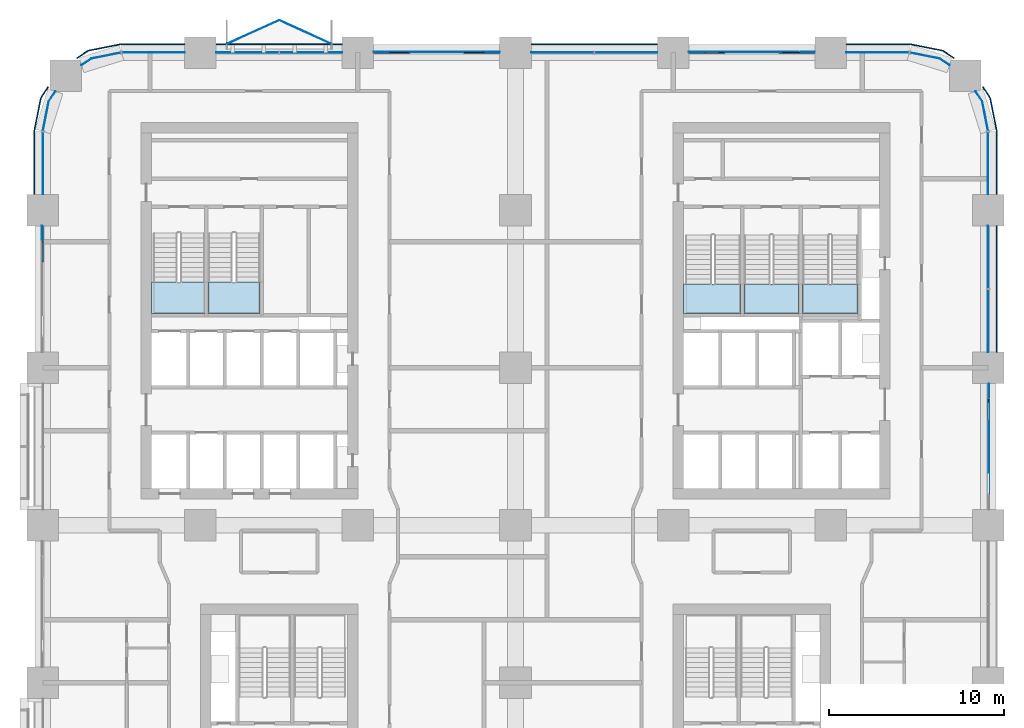
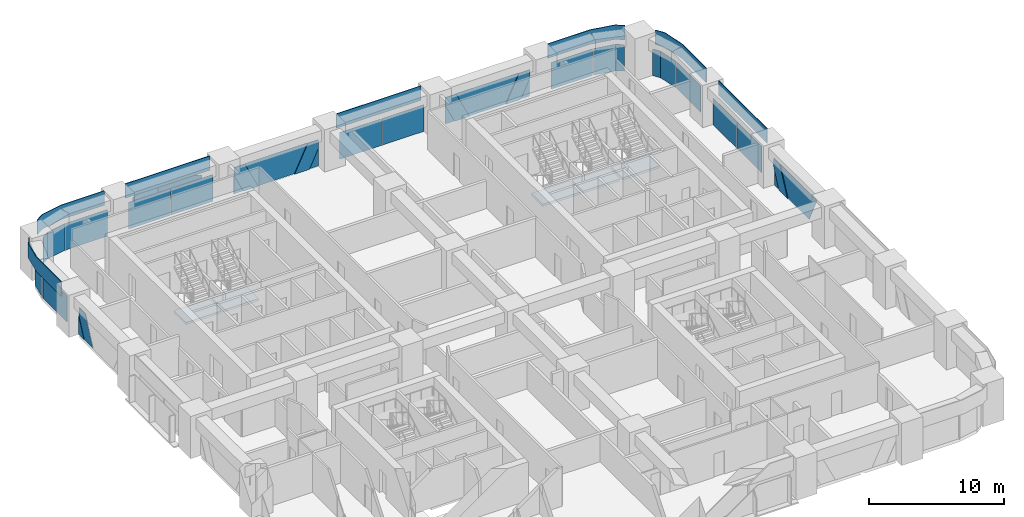
# One storey, part 13 of 23: 38 plates, 5 slabs, 16 elements without a shape of their own.
"""IFC4 building model written with IfcOpenShell, lengths in metres."""

from ifc_helpers import new_model, si_unit, direction, frame, origin, origin_2d, place, context, subcontext, project, spatial, polyline, rectangle, outline, extrude, material, layer, layer_set, type_object, element, aggregate, save


model = new_model("IFC4")

# Units and contexts
model_context = context("Model", 3, precision=1e-05, world=origin(), true_north=direction((0.0, 1.0)))
body_context = subcontext(model_context, "Body", "Model", "MODEL_VIEW")
ifc_project = project(units=[si_unit("LENGTHUNIT", "METRE"), si_unit("AREAUNIT", "SQUARE_METRE"), si_unit("VOLUMEUNIT", "CUBIC_METRE"), si_unit("PLANEANGLEUNIT", "RADIAN"), si_unit("MASSUNIT", "GRAM", prefix="KILO")], contexts=[model_context])

# Site, building, storey
site_placement = place(None, origin())
site = spatial("IfcSite", under=ifc_project, at=site_placement, CompositionType="ELEMENT")
building_placement = place(site_placement, origin())
building = spatial("IfcBuilding", under=site, at=building_placement, Name="Tessera Arch", CompositionType="ELEMENT")
storey_placement = place(building_placement, frame((0.0, 0.0, 57.60009765625)))
storey = spatial("IfcBuildingStorey", under=building, at=storey_placement, Name="L12", CompositionType="ELEMENT", Elevation=57.60009765625)

# Curtain wall, plates
ifc_material_1 = material(Name="CW1 curtain wall")
curtain_wall_type_1 = type_object("IfcCurtainWallType", Name="CW1 curtain wall", PredefinedType="NOTDEFINED", material=ifc_material_1)
curtain_wall_1_placement = place(storey_placement, origin())
curtain_wall_1 = element("IfcCurtainWall", 1, at=curtain_wall_1_placement, inside=storey, type_object=curtain_wall_type_1, Name="CW1 curtain wall E54.0/4 L12", PredefinedType="NOTDEFINED")
ifc_material_2 = material(Name="Clear low-e glass", Category="glass")
ifc_material_3 = material(Name="Clear low-e glass", Category="glass")
ifc_layer_1 = layer(ifc_material_3, 0.028076171875)
ifc_layer_set_1 = layer_set([ifc_layer_1], Name="CW1 glass panel")
plate_type_1 = type_object("IfcPlateType", Name="CW1 glass panel", PredefinedType="CURTAIN_PANEL", material=ifc_layer_set_1)
plate_1_placement = place(storey_placement, frame((54.0, 38.68505859375, 0.0), z_axis=(0.0, 0.0, 1.0), x_axis=(0.0, 1.0, 0.0)))
plate_1 = element("IfcPlate", 2, at=plate_1_placement, type_object=plate_type_1, material=ifc_material_2, Name="CW1 glass panel E54.0/4 1.1.1", PredefinedType="CURTAIN_PANEL", context=body_context, shape_type="SweptSolid", body=[
    extrude(rectangle(XDim=3.570068359375, YDim=0.028076171875, at=origin_2d()), origin(), (0.0, 0.0, 1.0), 2.39990234375),
])
plate_2_placement = place(storey_placement, frame((54.0, 42.31494140625, 0.0), z_axis=(0.0, 0.0, 1.0), x_axis=(0.0, 1.0, 0.0)))
plate_2 = element("IfcPlate", 3, at=plate_2_placement, type_object=plate_type_1, material=ifc_material_2, Name="CW1 glass panel E54.0/4 1.2.1", PredefinedType="CURTAIN_PANEL", context=body_context, shape_type="SweptSolid", body=[
    extrude(rectangle(XDim=3.570068359375, YDim=0.028076171875, at=origin_2d()), origin(), (0.0, 0.0, 1.0), 2.39990234375),
])

curtain_wall_2_placement = place(storey_placement, origin())
curtain_wall_2 = element("IfcCurtainWall", 4, at=curtain_wall_2_placement, inside=storey, type_object=curtain_wall_type_1, Name="CW1 curtain wall N54.0/2 L12", PredefinedType="NOTDEFINED")
plate_3_placement = place(storey_placement, frame((33.31494140625, 54.0, 0.0), z_axis=(0.0, 0.0, 1.0), x_axis=(-1.0, 0.0, 0.0)))
plate_3 = element("IfcPlate", 5, at=plate_3_placement, type_object=plate_type_1, material=ifc_material_2, Name="CW1 glass panel N54.0/2 1.1.1", PredefinedType="CURTAIN_PANEL", context=body_context, shape_type="SweptSolid", body=[
    extrude(rectangle(XDim=3.570068359375, YDim=0.028076171875, at=origin_2d()), origin(), (0.0, 0.0, 1.0), 2.39990234375),
])
plate_4_placement = place(storey_placement, frame((29.68505859375, 54.0, 0.0), z_axis=(0.0, 0.0, 1.0), x_axis=(-1.0, 0.0, 0.0)))
plate_4 = element("IfcPlate", 6, at=plate_4_placement, type_object=plate_type_1, material=ifc_material_2, Name="CW1 glass panel N54.0/2 1.2.1", PredefinedType="CURTAIN_PANEL", context=body_context, shape_type="SweptSolid", body=[
    extrude(rectangle(XDim=3.570068359375, YDim=0.028076171875, at=origin_2d()), origin(), (0.0, 0.0, 1.0), 2.39990234375),
])

curtain_wall_3_placement = place(storey_placement, origin())
curtain_wall_3 = element("IfcCurtainWall", 7, at=curtain_wall_3_placement, inside=storey, type_object=curtain_wall_type_1, Name="CW1 curtain wall N54.0/4 L12", PredefinedType="NOTDEFINED")
plate_5_placement = place(storey_placement, frame((15.31494140625, 54.0, 0.0), z_axis=(0.0, 0.0, 1.0), x_axis=(-1.0, 0.0, 0.0)))
plate_5 = element("IfcPlate", 8, at=plate_5_placement, type_object=plate_type_1, material=ifc_material_2, Name="CW1 glass panel N54.0/4 1.1.1", PredefinedType="CURTAIN_PANEL", context=body_context, shape_type="SweptSolid", body=[
    extrude(rectangle(XDim=3.570068359375, YDim=0.028076171875, at=origin_2d()), origin(), (0.0, 0.0, 1.0), 2.39990234375),
])
plate_6_placement = place(storey_placement, frame((11.68505859375, 54.0, 0.0), z_axis=(0.0, 0.0, 1.0), x_axis=(-1.0, 0.0, 0.0)))
plate_6 = element("IfcPlate", 9, at=plate_6_placement, type_object=plate_type_1, material=ifc_material_2, Name="CW1 glass panel N54.0/4 1.2.1", PredefinedType="CURTAIN_PANEL", context=body_context, shape_type="SweptSolid", body=[
    extrude(rectangle(XDim=3.570068359375, YDim=0.028076171875, at=origin_2d()), origin(), (0.0, 0.0, 1.0), 2.39990234375),
])

# Plate
ifc_material_4 = material(Name="Pale anodised aluminium panel", Category="aluminium")
ifc_layer_2 = layer(ifc_material_4, 0.06005859375)
ifc_layer_set_2 = layer_set([ifc_layer_2], Name="CW1 spandrel panel")
plate_type_2 = type_object("IfcPlateType", Name="CW1 spandrel panel", PredefinedType="CURTAIN_PANEL", material=ifc_layer_set_2)
plate_7_placement = place(storey_placement, frame((54.47998046875, 40.5, 2.5), z_axis=(0.0, 0.0, 1.0), x_axis=(0.0, 1.0, 0.0)))
plate_7 = element("IfcPlate", 10, at=plate_7_placement, type_object=plate_type_2, Name="CW1 spandrel panel E54.0/4", PredefinedType="CURTAIN_PANEL", context=body_context, shape_type="SweptSolid", body=[
    extrude(rectangle(XDim=7.199951171875, YDim=0.06005859375, at=origin_2d()), origin(), (0.0, 0.0, 1.0), 1.300048828125),
])

aggregate(curtain_wall_1, [plate_1, plate_2, plate_7])

plate_8_placement = place(storey_placement, frame((31.5, 54.47998046875, 2.5), z_axis=(0.0, 0.0, 1.0), x_axis=(-1.0, 0.0, 0.0)))
plate_8 = element("IfcPlate", 11, at=plate_8_placement, type_object=plate_type_2, Name="CW1 spandrel panel N54.0/2", PredefinedType="CURTAIN_PANEL", context=body_context, shape_type="SweptSolid", body=[
    extrude(rectangle(XDim=7.199951171875, YDim=0.06005859375, at=origin_2d()), origin(), (0.0, 0.0, 1.0), 1.300048828125),
])

aggregate(curtain_wall_2, [plate_3, plate_4, plate_8])

plate_9_placement = place(storey_placement, frame((13.5, 54.47998046875, 2.5), z_axis=(0.0, 0.0, 1.0), x_axis=(-1.0, 0.0, 0.0)))
plate_9 = element("IfcPlate", 12, at=plate_9_placement, type_object=plate_type_2, Name="CW1 spandrel panel N54.0/4", PredefinedType="CURTAIN_PANEL", context=body_context, shape_type="SweptSolid", body=[
    extrude(rectangle(XDim=7.199951171875, YDim=0.06005859375, at=origin_2d()), origin(), (0.0, 0.0, 1.0), 1.300048828125),
])

aggregate(curtain_wall_3, [plate_5, plate_6, plate_9])

# Curtain wall, plates
ifc_material_5 = material(Name="CW2 curtain wall")
curtain_wall_type_2 = type_object("IfcCurtainWallType", Name="CW2 curtain wall", PredefinedType="NOTDEFINED", material=ifc_material_5)
curtain_wall_4_placement = place(storey_placement, origin())
curtain_wall_4 = element("IfcCurtainWall", 13, at=curtain_wall_4_placement, inside=storey, type_object=curtain_wall_type_2, Name="CW2 curtain wall E54.0/5 L12", PredefinedType="NOTDEFINED")
ifc_material_6 = material(Name="Clear low-e glass", Category="glass")
ifc_layer_3 = layer(ifc_material_6, 0.028076171875)
ifc_layer_set_3 = layer_set([ifc_layer_3], Name="CW2 glass panel")
plate_type_3 = type_object("IfcPlateType", Name="CW2 glass panel", PredefinedType="CURTAIN_PANEL", material=ifc_layer_set_3)
plate_10_placement = place(storey_placement, frame((54.0, 47.679931640625, 0.0), z_axis=(0.0, 0.0, 1.0), x_axis=(0.0, 1.0, 0.0)))
plate_10 = element("IfcPlate", 14, at=plate_10_placement, type_object=plate_type_3, material=ifc_material_2, Name="CW2 glass panel E54.0/5 1.1", PredefinedType="CURTAIN_PANEL", context=body_context, shape_type="SweptSolid", body=[
    extrude(rectangle(XDim=3.56005859375, YDim=0.028076171875, at=origin_2d()), origin(), (0.0, 0.0, 1.0), 2.39990234375),
])
plate_11_placement = place(storey_placement, origin())
plate_11 = element("IfcPlate", 15, at=plate_11_placement, type_object=plate_type_3, material=ifc_material_2, Name="CW2 curved glass panel E54.0/5 2.1", PredefinedType="CURTAIN_PANEL", context=body_context, shape_type="SweptSolid", body=[
    extrude(outline(polyline([(53.644287109375, 51.216552734375), (53.978515625, 49.53662109375), (54.005859375, 49.5419921875), (53.670654296875, 51.2275390625), (53.294921875, 51.789794921875), (53.271728515625, 51.774169921875), (53.644287109375, 51.216552734375)])), origin(), (0.0, 0.0, 1.0), 2.39990234375),
])

curtain_wall_5_placement = place(storey_placement, origin())
curtain_wall_5 = element("IfcCurtainWall", 16, at=curtain_wall_5_placement, inside=storey, type_object=curtain_wall_type_2, Name="CW2 curtain wall N54.0/0 L12", PredefinedType="NOTDEFINED")
plate_12_placement = place(storey_placement, frame((47.679931640625, 54.0, 0.0), z_axis=(0.0, 0.0, 1.0), x_axis=(-1.0, 0.0, 0.0)))
plate_12 = element("IfcPlate", 17, at=plate_12_placement, type_object=plate_type_3, material=ifc_material_2, Name="CW2 glass panel N54.0/0 1.1", PredefinedType="CURTAIN_PANEL", context=body_context, shape_type="SweptSolid", body=[
    extrude(rectangle(XDim=3.56005859375, YDim=0.028076171875, at=origin_2d()), origin(), (0.0, 0.0, 1.0), 2.39990234375),
])
plate_13_placement = place(storey_placement, origin())
plate_13 = element("IfcPlate", 18, at=plate_13_placement, type_object=plate_type_3, material=ifc_material_2, Name="CW2 curved glass panel N54.0/0 2.1", PredefinedType="CURTAIN_PANEL", context=body_context, shape_type="SweptSolid", body=[
    extrude(outline(polyline([(51.216552734375, 53.644287109375), (51.774169921875, 53.271728515625), (51.789794921875, 53.294921875), (51.2275390625, 53.670654296875), (49.5419921875, 54.005859375), (49.53662109375, 53.978515625), (51.216552734375, 53.644287109375)])), origin(), (0.0, 0.0, 1.0), 2.39990234375),
])

curtain_wall_6_placement = place(storey_placement, origin())
curtain_wall_6 = element("IfcCurtainWall", 19, at=curtain_wall_6_placement, inside=storey, type_object=curtain_wall_type_2, Name="CW2 curtain wall N54.0/5 L12", PredefinedType="NOTDEFINED")
plate_14_placement = place(storey_placement, frame((6.320068359375, 54.0, 0.0), z_axis=(0.0, 0.0, 1.0), x_axis=(-1.0, 0.0, 0.0)))
plate_14 = element("IfcPlate", 20, at=plate_14_placement, type_object=plate_type_3, material=ifc_material_2, Name="CW2 glass panel N54.0/5 1.1", PredefinedType="CURTAIN_PANEL", context=body_context, shape_type="SweptSolid", body=[
    extrude(rectangle(XDim=3.56005859375, YDim=0.028076171875, at=origin_2d()), origin(), (0.0, 0.0, 1.0), 2.39990234375),
])
plate_15_placement = place(storey_placement, origin())
plate_15 = element("IfcPlate", 21, at=plate_15_placement, type_object=plate_type_3, material=ifc_material_2, Name="CW2 curved glass panel N54.0/5 2.1", PredefinedType="CURTAIN_PANEL", context=body_context, shape_type="SweptSolid", body=[
    extrude(outline(polyline([(2.783447265625, 53.644287109375), (4.46337890625, 53.978515625), (4.4580078125, 54.005859375), (2.7724609375, 53.670654296875), (2.210205078125, 53.294921875), (2.225830078125, 53.271728515625), (2.783447265625, 53.644287109375)])), origin(), (0.0, 0.0, 1.0), 2.39990234375),
])

curtain_wall_7_placement = place(storey_placement, origin())
curtain_wall_7 = element("IfcCurtainWall", 22, at=curtain_wall_7_placement, inside=storey, type_object=curtain_wall_type_2, Name="CW2 curtain wall W0.0/0 L12", PredefinedType="NOTDEFINED")
plate_16_placement = place(storey_placement, frame((0.0, 47.679931640625, 0.0), z_axis=(0.0, 0.0, 1.0), x_axis=(0.0, -1.0, 0.0)))
plate_16 = element("IfcPlate", 23, at=plate_16_placement, type_object=plate_type_3, material=ifc_material_2, Name="CW2 glass panel W0.0/0 1.1", PredefinedType="CURTAIN_PANEL", context=body_context, shape_type="SweptSolid", body=[
    extrude(rectangle(XDim=3.56005859375, YDim=0.028076171875, at=origin_2d()), origin(), (0.0, 0.0, 1.0), 2.39990234375),
])
plate_17_placement = place(storey_placement, origin())
plate_17 = element("IfcPlate", 24, at=plate_17_placement, type_object=plate_type_3, material=ifc_material_2, Name="CW2 curved glass panel W0.0/0 2.1", PredefinedType="CURTAIN_PANEL", context=body_context, shape_type="SweptSolid", body=[
    extrude(outline(polyline([(0.355712890625, 51.216552734375), (0.728271484375, 51.774169921875), (0.705078125, 51.789794921875), (0.329345703125, 51.2275390625), (-0.005859375, 49.5419921875), (0.021484375, 49.53662109375), (0.355712890625, 51.216552734375)])), origin(), (0.0, 0.0, 1.0), 2.39990234375),
])

# Plate
ifc_material_7 = material(Name="Pale anodised aluminium panel", Category="aluminium")
ifc_layer_4 = layer(ifc_material_7, 0.06005859375)
ifc_layer_set_4 = layer_set([ifc_layer_4], Name="CW2 spandrel panel")
plate_type_4 = type_object("IfcPlateType", Name="CW2 spandrel panel", PredefinedType="CURTAIN_PANEL", material=ifc_layer_set_4)
plate_18_placement = place(storey_placement, frame((0.0, 0.0, 2.5)))
plate_18 = element("IfcPlate", 25, at=plate_18_placement, type_object=plate_type_4, Name="CW2 spandrel panel E54.0/5", PredefinedType="CURTAIN_PANEL", context=body_context, shape_type="SweptSolid", body=[
    extrude(outline(polyline([(54.449951171875, 49.499267578125), (54.449951171875, 45.89990234375), (54.510009765625, 45.89990234375), (54.510009765625, 49.500732421875), (54.507568359375, 49.550048828125), (54.500244140625, 49.598876953125), (54.157470703125, 51.322265625), (54.1455078125, 51.3701171875), (54.128662109375, 51.417236328125), (54.107177734375, 51.462646484375), (54.08203125, 51.5048828125), (53.707275390625, 52.0654296875), (53.657470703125, 52.031982421875), (54.03125, 51.47265625), (54.05419921875, 51.434326171875), (54.0732421875, 51.394287109375), (54.088134765625, 51.352783203125), (54.09912109375, 51.30908203125), (54.441162109375, 49.588623046875), (54.44775390625, 49.544189453125), (54.449951171875, 49.499267578125)])), origin(), (0.0, 0.0, 1.0), 1.2998046875),
])

aggregate(curtain_wall_4, [plate_10, plate_11, plate_18])

plate_19_placement = place(storey_placement, frame((0.0, 0.0, 2.5)))
plate_19 = element("IfcPlate", 26, at=plate_19_placement, type_object=plate_type_4, Name="CW2 spandrel panel N54.0/0", PredefinedType="CURTAIN_PANEL", context=body_context, shape_type="SweptSolid", body=[
    extrude(outline(polyline([(51.47265625, 54.03125), (52.031982421875, 53.657470703125), (52.0654296875, 53.707275390625), (51.5048828125, 54.08203125), (51.462646484375, 54.107177734375), (51.417236328125, 54.128662109375), (51.3701171875, 54.1455078125), (51.322265625, 54.157470703125), (49.598876953125, 54.500244140625), (49.550048828125, 54.507568359375), (49.500732421875, 54.510009765625), (45.89990234375, 54.510009765625), (45.89990234375, 54.449951171875), (49.499267578125, 54.449951171875), (49.544189453125, 54.44775390625), (49.588623046875, 54.441162109375), (51.30908203125, 54.09912109375), (51.352783203125, 54.088134765625), (51.394287109375, 54.0732421875), (51.434326171875, 54.05419921875), (51.47265625, 54.03125)])), origin(), (0.0, 0.0, 1.0), 1.2998046875),
])

aggregate(curtain_wall_5, [plate_12, plate_13, plate_19])

plate_20_placement = place(storey_placement, frame((0.0, 0.0, 2.5)))
plate_20 = element("IfcPlate", 27, at=plate_20_placement, type_object=plate_type_4, Name="CW2 spandrel panel N54.0/5", PredefinedType="CURTAIN_PANEL", context=body_context, shape_type="SweptSolid", body=[
    extrude(outline(polyline([(4.500732421875, 54.449951171875), (8.10009765625, 54.449951171875), (8.10009765625, 54.510009765625), (4.499267578125, 54.510009765625), (4.449951171875, 54.507568359375), (4.401123046875, 54.500244140625), (2.677734375, 54.157470703125), (2.6298828125, 54.1455078125), (2.582763671875, 54.128662109375), (2.537353515625, 54.107177734375), (2.4951171875, 54.08203125), (1.9345703125, 53.707275390625), (1.968017578125, 53.657470703125), (2.52734375, 54.03125), (2.565673828125, 54.05419921875), (2.605712890625, 54.0732421875), (2.647216796875, 54.088134765625), (2.69091796875, 54.09912109375), (4.411376953125, 54.441162109375), (4.455810546875, 54.44775390625), (4.500732421875, 54.449951171875)])), origin(), (0.0, 0.0, 1.0), 1.2998046875),
])

aggregate(curtain_wall_6, [plate_14, plate_15, plate_20])

plate_21_placement = place(storey_placement, frame((0.0, 0.0, 2.5)))
plate_21 = element("IfcPlate", 28, at=plate_21_placement, type_object=plate_type_4, Name="CW2 spandrel panel W0.0/0", PredefinedType="CURTAIN_PANEL", context=body_context, shape_type="SweptSolid", body=[
    extrude(outline(polyline([(-0.03125, 51.47265625), (0.342529296875, 52.031982421875), (0.292724609375, 52.0654296875), (-0.08203125, 51.5048828125), (-0.107177734375, 51.462646484375), (-0.128662109375, 51.417236328125), (-0.1455078125, 51.3701171875), (-0.157470703125, 51.322265625), (-0.500244140625, 49.598876953125), (-0.507568359375, 49.550048828125), (-0.510009765625, 49.500732421875), (-0.510009765625, 45.89990234375), (-0.449951171875, 45.89990234375), (-0.449951171875, 49.499267578125), (-0.44775390625, 49.544189453125), (-0.441162109375, 49.588623046875), (-0.09912109375, 51.30908203125), (-0.088134765625, 51.352783203125), (-0.0732421875, 51.394287109375), (-0.05419921875, 51.434326171875), (-0.03125, 51.47265625)])), origin(), (0.0, 0.0, 1.0), 1.2998046875),
])

aggregate(curtain_wall_7, [plate_16, plate_17, plate_21])

# Curtain wall, plate
ifc_material_8 = material(Name="CW3 curtain wall")
curtain_wall_type_3 = type_object("IfcCurtainWallType", Name="CW3 curtain wall", PredefinedType="NOTDEFINED", material=ifc_material_8)
curtain_wall_8_placement = place(storey_placement, origin())
curtain_wall_8 = element("IfcCurtainWall", 29, at=curtain_wall_8_placement, inside=storey, type_object=curtain_wall_type_3, Name="CW3 curtain wall E54.0/3 L12", PredefinedType="NOTDEFINED")
ifc_material_9 = material(Name="Pale anodised aluminium panel", Category="aluminium")
ifc_layer_5 = layer(ifc_material_9, 0.06005859375)
ifc_layer_set_5 = layer_set([ifc_layer_5], Name="CW3 diagonal panel")
plate_type_5 = type_object("IfcPlateType", Name="CW3 diagonal panel", PredefinedType="CURTAIN_PANEL", material=ifc_layer_set_5)
plate_22_placement = place(storey_placement, frame((54.030029296875, 35.10009765625, 2.39990234375), z_axis=(1.0, 0.0, 0.0), x_axis=(0.0, -1.0, 0.0)))
plate_22 = element("IfcPlate", 30, at=plate_22_placement, type_object=plate_type_5, Name="CW3 diagonal panel E54.0/3 1", PredefinedType="CURTAIN_PANEL", context=body_context, shape_type="SweptSolid", body=[
    extrude(outline(polyline([(0.0, 0.0), (0.912841796875, 0.0), (2.049560546875, 2.39990234375), (0.792724609375, 2.39990234375), (0.0, 0.726806640625), (0.0, 0.0)])), origin(), (0.0, 0.0, -1.0), 0.06005859375),
])

# Curtain wall, plates
curtain_wall_9_placement = place(storey_placement, origin())
curtain_wall_9 = element("IfcCurtainWall", 31, at=curtain_wall_9_placement, inside=storey, type_object=curtain_wall_type_3, Name="CW3 curtain wall N54.0/1 L12", PredefinedType="NOTDEFINED")
plate_23_placement = place(storey_placement, frame((36.89990234375, 54.030029296875, 2.39990234375), z_axis=(0.0, 1.0, 0.0), x_axis=(1.0, 0.0, 0.0)))
plate_23 = element("IfcPlate", 32, at=plate_23_placement, type_object=plate_type_5, Name="CW3 diagonal panel N54.0/1 1", PredefinedType="CURTAIN_PANEL", context=body_context, shape_type="SweptSolid", body=[
    extrude(outline(polyline([(0.0, 0.0), (0.912841796875, 0.0), (2.049560546875, 2.39990234375), (0.792724609375, 2.39990234375), (0.0, 0.726806640625), (0.0, 0.0)])), origin(), (0.0, 0.0, -1.0), 0.06005859375),
])
plate_24_placement = place(storey_placement, frame((44.10009765625, 54.030029296875, 2.39990234375), z_axis=(0.0, 1.0, 0.0), x_axis=(0.0, 0.0, -1.0)))
plate_24 = element("IfcPlate", 33, at=plate_24_placement, type_object=plate_type_5, Name="CW3 diagonal panel N54.0/1 2", PredefinedType="CURTAIN_PANEL", context=body_context, shape_type="SweptSolid", body=[
    extrude(outline(polyline([(0.0, 0.0), (0.726806640625, 0.0), (2.39990234375, 0.792724609375), (2.39990234375, 2.049560546875), (0.0, 0.912841796875), (0.0, 0.0)])), origin(), (0.0, 0.0, -1.0), 0.06005859375),
])

curtain_wall_10_placement = place(storey_placement, origin())
curtain_wall_10 = element("IfcCurtainWall", 34, at=curtain_wall_10_placement, inside=storey, type_object=curtain_wall_type_3, Name="CW3 curtain wall N54.0/3 L12", PredefinedType="NOTDEFINED")
plate_25_placement = place(storey_placement, frame((18.89990234375, 54.030029296875, 2.39990234375), z_axis=(0.0, 1.0, 0.0), x_axis=(1.0, 0.0, 0.0)))
plate_25 = element("IfcPlate", 35, at=plate_25_placement, type_object=plate_type_5, Name="CW3 diagonal panel N54.0/3 1", PredefinedType="CURTAIN_PANEL", context=body_context, shape_type="SweptSolid", body=[
    extrude(outline(polyline([(0.0, 0.0), (0.912841796875, 0.0), (2.049560546875, 2.39990234375), (0.792724609375, 2.39990234375), (0.0, 0.726806640625), (0.0, 0.0)])), origin(), (0.0, 0.0, -1.0), 0.06005859375),
])
plate_26_placement = place(storey_placement, frame((26.10009765625, 54.030029296875, 2.39990234375), z_axis=(0.0, 1.0, 0.0), x_axis=(0.0, 0.0, -1.0)))
plate_26 = element("IfcPlate", 36, at=plate_26_placement, type_object=plate_type_5, Name="CW3 diagonal panel N54.0/3 2", PredefinedType="CURTAIN_PANEL", context=body_context, shape_type="SweptSolid", body=[
    extrude(outline(polyline([(0.0, 0.0), (0.726806640625, 0.0), (2.39990234375, 0.792724609375), (2.39990234375, 2.049560546875), (0.0, 0.912841796875), (0.0, 0.0)])), origin(), (0.0, 0.0, -1.0), 0.06005859375),
])

# Curtain wall, plate
curtain_wall_11_placement = place(storey_placement, origin())
curtain_wall_11 = element("IfcCurtainWall", 37, at=curtain_wall_11_placement, inside=storey, type_object=curtain_wall_type_3, Name="CW3 curtain wall W0.0/1 L12", PredefinedType="NOTDEFINED")
plate_27_placement = place(storey_placement, frame((-0.030029296875, 44.10009765625, 2.39990234375), z_axis=(-1.0, 0.0, 0.0), x_axis=(0.0, 0.0, -1.0)))
plate_27 = element("IfcPlate", 38, at=plate_27_placement, type_object=plate_type_5, Name="CW3 diagonal panel W0.0/1 2", PredefinedType="CURTAIN_PANEL", context=body_context, shape_type="SweptSolid", body=[
    extrude(outline(polyline([(0.0, 0.0), (0.726806640625, 0.0), (2.39990234375, 0.792724609375), (2.39990234375, 2.049560546875), (0.0, 0.912841796875), (0.0, 0.0)])), origin(), (0.0, 0.0, -1.0), 0.06005859375),
])

# Plate
ifc_material_10 = material(Name="Clear low-e glass", Category="glass")
ifc_layer_6 = layer(ifc_material_10, 0.028076171875)
ifc_layer_set_6 = layer_set([ifc_layer_6], Name="CW3 glass panel")
plate_type_6 = type_object("IfcPlateType", Name="CW3 glass panel", PredefinedType="CURTAIN_PANEL", material=ifc_layer_set_6)
plate_28_placement = place(storey_placement, frame((54.05810546875, 34.187255859375, 2.39990234375), z_axis=(1.0, 0.0, 0.0), x_axis=(0.0, -1.0, 0.0)))
plate_28 = element("IfcPlate", 39, at=plate_28_placement, type_object=plate_type_6, material=ifc_material_2, Name="CW3 triangulated glass panel E54.0/3 2", PredefinedType="CURTAIN_PANEL", context=body_context, shape_type="SweptSolid", body=[
    extrude(outline(polyline([(0.0, 0.0), (5.37451171875, 0.0), (4.23779296875, 2.39990234375), (1.13671875, 2.39990234375), (0.0, 0.0)])), origin(), (0.0, 0.0, -1.0), 0.028076171875),
])

plate_29_placement = place(storey_placement, frame((54.05810546875, 35.10009765625, 0.0), z_axis=(1.0, 0.0, 0.0), x_axis=(0.0, 0.0, 1.0)))
plate_29 = element("IfcPlate", 40, at=plate_29_placement, type_object=plate_type_6, material=ifc_material_2, Name="CW3 triangulated glass panel E54.0/3 3", PredefinedType="CURTAIN_PANEL", context=body_context, shape_type="SweptSolid", body=[
    extrude(outline(polyline([(0.0, 0.0), (1.673095703125, 0.0), (0.0, 0.792724609375), (0.0, 0.0)])), origin(), (0.0, 0.0, -1.0), 0.028076171875),
])

aggregate(curtain_wall_8, [plate_28, plate_29, plate_22])

plate_30_placement = place(storey_placement, frame((44.10009765625, 54.05810546875, 0.0), z_axis=(0.0, 1.0, 0.0), x_axis=(-1.0, 0.0, 0.0)))
plate_30 = element("IfcPlate", 41, at=plate_30_placement, type_object=plate_type_6, material=ifc_material_2, Name="CW3 triangulated glass panel N54.0/1 1", PredefinedType="CURTAIN_PANEL", context=body_context, shape_type="SweptSolid", body=[
    extrude(outline(polyline([(0.0, 0.0), (0.792724609375, 0.0), (0.0, 1.673095703125), (0.0, 0.0)])), origin(), (0.0, 0.0, -1.0), 0.028076171875),
])

plate_31_placement = place(storey_placement, frame((37.812744140625, 54.05810546875, 2.39990234375), z_axis=(0.0, 1.0, 0.0), x_axis=(1.0, 0.0, 0.0)))
plate_31 = element("IfcPlate", 42, at=plate_31_placement, type_object=plate_type_6, material=ifc_material_2, Name="CW3 triangulated glass panel N54.0/1 2", PredefinedType="CURTAIN_PANEL", context=body_context, shape_type="SweptSolid", body=[
    extrude(outline(polyline([(0.0, 0.0), (5.37451171875, 0.0), (4.23779296875, 2.39990234375), (1.13671875, 2.39990234375), (0.0, 0.0)])), origin(), (0.0, 0.0, -1.0), 0.028076171875),
])

plate_32_placement = place(storey_placement, frame((36.89990234375, 54.05810546875, 0.0), z_axis=(0.0, 1.0, 0.0), x_axis=(0.0, 0.0, 1.0)))
plate_32 = element("IfcPlate", 43, at=plate_32_placement, type_object=plate_type_6, material=ifc_material_2, Name="CW3 triangulated glass panel N54.0/1 3", PredefinedType="CURTAIN_PANEL", context=body_context, shape_type="SweptSolid", body=[
    extrude(outline(polyline([(0.0, 0.0), (1.673095703125, 0.0), (0.0, 0.792724609375), (0.0, 0.0)])), origin(), (0.0, 0.0, -1.0), 0.028076171875),
])

aggregate(curtain_wall_9, [plate_30, plate_31, plate_32, plate_23, plate_24])

plate_33_placement = place(storey_placement, frame((26.10009765625, 54.05810546875, 0.0), z_axis=(0.0, 1.0, 0.0), x_axis=(-1.0, 0.0, 0.0)))
plate_33 = element("IfcPlate", 44, at=plate_33_placement, type_object=plate_type_6, material=ifc_material_2, Name="CW3 triangulated glass panel N54.0/3 1", PredefinedType="CURTAIN_PANEL", context=body_context, shape_type="SweptSolid", body=[
    extrude(outline(polyline([(0.0, 0.0), (0.792724609375, 0.0), (0.0, 1.673095703125), (0.0, 0.0)])), origin(), (0.0, 0.0, -1.0), 0.028076171875),
])

plate_34_placement = place(storey_placement, frame((19.812744140625, 54.05810546875, 2.39990234375), z_axis=(0.0, 1.0, 0.0), x_axis=(1.0, 0.0, 0.0)))
plate_34 = element("IfcPlate", 45, at=plate_34_placement, type_object=plate_type_6, material=ifc_material_2, Name="CW3 triangulated glass panel N54.0/3 2", PredefinedType="CURTAIN_PANEL", context=body_context, shape_type="SweptSolid", body=[
    extrude(outline(polyline([(0.0, 0.0), (5.37451171875, 0.0), (4.23779296875, 2.39990234375), (1.13671875, 2.39990234375), (0.0, 0.0)])), origin(), (0.0, 0.0, -1.0), 0.028076171875),
])

plate_35_placement = place(storey_placement, frame((18.89990234375, 54.05810546875, 0.0), z_axis=(0.0, 1.0, 0.0), x_axis=(0.0, 0.0, 1.0)))
plate_35 = element("IfcPlate", 46, at=plate_35_placement, type_object=plate_type_6, material=ifc_material_2, Name="CW3 triangulated glass panel N54.0/3 3", PredefinedType="CURTAIN_PANEL", context=body_context, shape_type="SweptSolid", body=[
    extrude(outline(polyline([(0.0, 0.0), (1.673095703125, 0.0), (0.0, 0.792724609375), (0.0, 0.0)])), origin(), (0.0, 0.0, -1.0), 0.028076171875),
])

aggregate(curtain_wall_10, [plate_33, plate_34, plate_35, plate_25, plate_26])

plate_36_placement = place(storey_placement, frame((-0.05810546875, 44.10009765625, 0.0), z_axis=(-1.0, 0.0, 0.0), x_axis=(0.0, -1.0, 0.0)))
plate_36 = element("IfcPlate", 47, at=plate_36_placement, type_object=plate_type_6, material=ifc_material_2, Name="CW3 triangulated glass panel W0.0/1 1", PredefinedType="CURTAIN_PANEL", context=body_context, shape_type="SweptSolid", body=[
    extrude(outline(polyline([(0.0, 0.0), (0.792724609375, 0.0), (0.0, 1.673095703125), (0.0, 0.0)])), origin(), (0.0, 0.0, -1.0), 0.028076171875),
])

aggregate(curtain_wall_11, [plate_36, plate_27])

# Stair, slab
ifc_material_11 = material(Name="Concrete C40/50", Category="concrete")
stair_type_1 = type_object("IfcStairType", Name="Dogleg stair 1520", PredefinedType="HALF_TURN_STAIR", material=ifc_material_11)
stair_1_placement = place(storey_placement, origin())
stair_1 = element("IfcStair", 48, at=stair_1_placement, inside=storey, type_object=stair_type_1, Name="L12 S1a", PredefinedType="HALF_TURN_STAIR")
ifc_material_12 = material(Name="Concrete C40/50", Category="concrete")
ifc_layer_7 = layer(ifc_material_12, 0.300048828125)
ifc_layer_set_7 = layer_set([ifc_layer_7], Name="Stair landing 300")
slab_type = type_object("IfcSlabType", Name="Stair landing 300", PredefinedType="LANDING", material=ifc_layer_set_7)
slab_1_placement = place(storey_placement, frame((0.0, 0.0, 1.699951171875)))
slab_1 = element("IfcSlab", 49, at=slab_1_placement, type_object=slab_type, Name="S1a landing 1", PredefinedType="LANDING", context=body_context, shape_type="SweptSolid", body=[
    extrude(outline(polyline([(36.60009765625, 40.780029296875), (36.60009765625, 39.10009765625), (39.85009765625, 39.10009765625), (39.85009765625, 40.780029296875), (36.60009765625, 40.780029296875)])), origin(), (0.0, 0.0, 1.0), 0.199951171875),
])
aggregate(stair_1, [slab_1])

stair_2_placement = place(storey_placement, origin())
stair_2 = element("IfcStair", 50, at=stair_2_placement, inside=storey, type_object=stair_type_1, Name="L12 S1b", PredefinedType="HALF_TURN_STAIR")
slab_2_placement = place(storey_placement, frame((0.0, 0.0, 1.699951171875)))
slab_2 = element("IfcSlab", 51, at=slab_2_placement, type_object=slab_type, Name="S1b landing 1", PredefinedType="LANDING", context=body_context, shape_type="SweptSolid", body=[
    extrude(outline(polyline([(40.050048828125, 40.780029296875), (40.050048828125, 39.10009765625), (43.199951171875, 39.10009765625), (43.199951171875, 40.780029296875), (40.050048828125, 40.780029296875)])), origin(), (0.0, 0.0, 1.0), 0.199951171875),
])
aggregate(stair_2, [slab_2])

stair_3_placement = place(storey_placement, origin())
stair_3 = element("IfcStair", 52, at=stair_3_placement, inside=storey, type_object=stair_type_1, Name="L12 S1c", PredefinedType="HALF_TURN_STAIR")
slab_3_placement = place(storey_placement, frame((0.0, 0.0, 1.699951171875)))
slab_3 = element("IfcSlab", 53, at=slab_3_placement, type_object=slab_type, Name="S1c landing 1", PredefinedType="LANDING", context=body_context, shape_type="SweptSolid", body=[
    extrude(outline(polyline([(43.39990234375, 40.780029296875), (43.39990234375, 39.10009765625), (46.550048828125, 39.10009765625), (46.550048828125, 40.780029296875), (43.39990234375, 40.780029296875)])), origin(), (0.0, 0.0, 1.0), 0.199951171875),
])
aggregate(stair_3, [slab_3])

ifc_material_13 = material(Name="Concrete C40/50", Category="concrete")
stair_type_2 = type_object("IfcStairType", Name="Dogleg stair 1400", PredefinedType="HALF_TURN_STAIR", material=ifc_material_13)
stair_4_placement = place(storey_placement, origin())
stair_4 = element("IfcStair", 54, at=stair_4_placement, inside=storey, type_object=stair_type_2, Name="L12 S2a", PredefinedType="HALF_TURN_STAIR")
slab_4_placement = place(storey_placement, frame((0.0, 0.0, 1.699951171875)))
slab_4 = element("IfcSlab", 55, at=slab_4_placement, type_object=slab_type, Name="S2a landing 1", PredefinedType="LANDING", context=body_context, shape_type="SweptSolid", body=[
    extrude(outline(polyline([(6.199951171875, 40.89990234375), (6.199951171875, 39.10009765625), (9.25, 39.10009765625), (9.25, 40.89990234375), (6.199951171875, 40.89990234375)])), origin(), (0.0, 0.0, 1.0), 0.199951171875),
])
aggregate(stair_4, [slab_4])

stair_5_placement = place(storey_placement, origin())
stair_5 = element("IfcStair", 56, at=stair_5_placement, inside=storey, type_object=stair_type_2, Name="L12 S2b", PredefinedType="HALF_TURN_STAIR")
slab_5_placement = place(storey_placement, frame((0.0, 0.0, 1.699951171875)))
slab_5 = element("IfcSlab", 57, at=slab_5_placement, type_object=slab_type, Name="S2b landing 1", PredefinedType="LANDING", context=body_context, shape_type="SweptSolid", body=[
    extrude(outline(polyline([(9.449951171875, 40.89990234375), (9.449951171875, 39.10009765625), (12.39990234375, 39.10009765625), (12.39990234375, 40.89990234375), (9.449951171875, 40.89990234375)])), origin(), (0.0, 0.0, 1.0), 0.199951171875),
])
aggregate(stair_5, [slab_5])

# Plates
ifc_material_14 = material(Name="Clear low-e glass", Category="glass")
ifc_layer_8 = layer(ifc_material_14, 0.028076171875)
ifc_layer_set_8 = layer_set([ifc_layer_8], Name="Window box glass facet")
plate_type_7 = type_object("IfcPlateType", Name="Window box glass facet", PredefinedType="SHEET", material=ifc_layer_set_8)
for number, where, z_axis, x_axis, name in (
    (58, (14.97509765625, 55.179931640625, 0.219970703125), (0.0, 0.0, 1.0), (-0.910472144558, 0.413570397858, 0.0), "Window box N54.0/4.0 2x1 glass"),
    (59, (12.02490234375, 55.179931640625, 0.219970703125), (0.0, 0.0, 1.0), (0.910472144558, 0.413570397858, 0.0), "Window box N54.0/4.0 2x1 glass"),
):
    element("IfcPlate", number, at=place(storey_placement, frame(where, z_axis=z_axis, x_axis=x_axis)), inside=storey, type_object=plate_type_7, Name=name, PredefinedType="SHEET", context=body_context, shape_type="SweptSolid", body=[
        extrude(rectangle(XDim=3.239990234375, YDim=0.028076171875, at=origin_2d()), origin(), (0.0, 0.0, 1.0), 2.06005859375),
    ])

save(model, "model.ifc")
